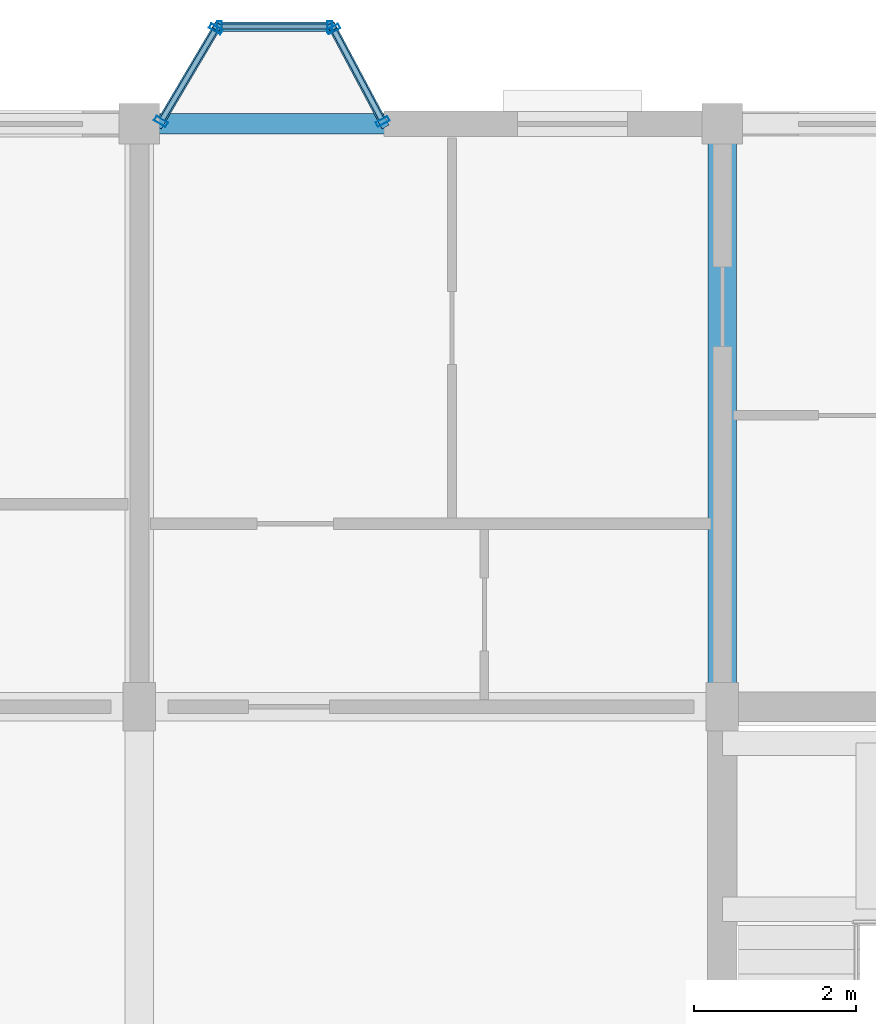
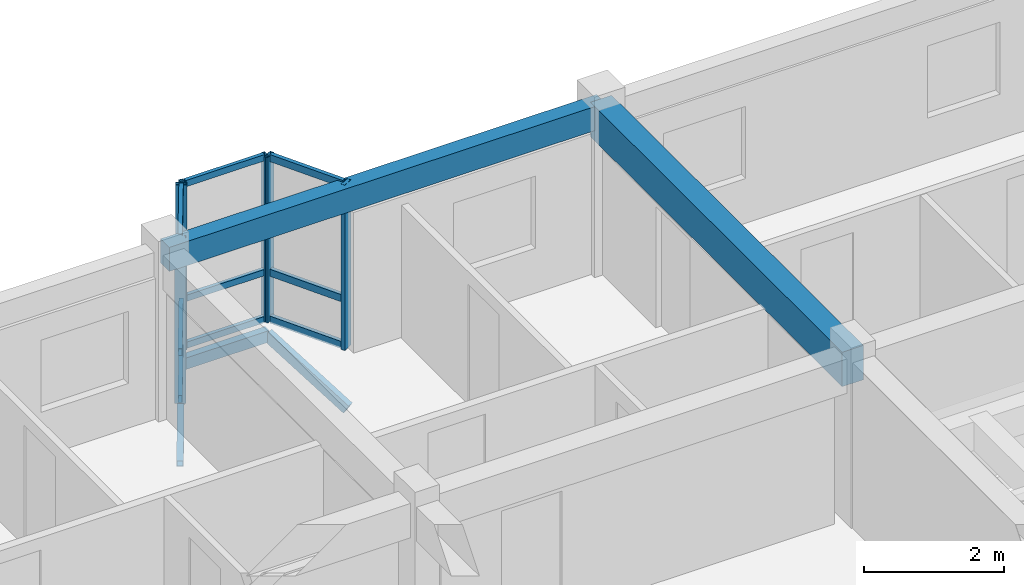
# One storey, part 38 of 70: 18 members, 2 beams, 3 elements without a shape of their own.
"""IFC4 building model written with IfcOpenShell, lengths in metres."""

from ifc_helpers import new_model, si_unit, direction, frame, origin, origin_2d, place, context, subcontext, project, spatial, rectangle, hollow_rectangle, extrude, material, layer, layer_set, material_profile, profile_set, type_object, element, aggregate, save


model = new_model("IFC4")

# Units and contexts
model_context = context("Model", 3, precision=1e-05, world=origin(), true_north=direction((0.0, 1.0)))
body_context = subcontext(model_context, "Body", "Model", "MODEL_VIEW")
ifc_project = project(units=[si_unit("LENGTHUNIT", "METRE"), si_unit("AREAUNIT", "SQUARE_METRE"), si_unit("VOLUMEUNIT", "CUBIC_METRE"), si_unit("PLANEANGLEUNIT", "RADIAN"), si_unit("MASSUNIT", "GRAM", prefix="KILO"), si_unit("THERMODYNAMICTEMPERATUREUNIT", "KELVIN"), si_unit("POWERUNIT", "WATT")], contexts=[model_context])

# Site, building, storey
site_placement = place(None, origin())
site = spatial("IfcSite", under=ifc_project, at=site_placement, CompositionType="ELEMENT")
building_placement = place(site_placement, origin())
building = spatial("IfcBuilding", under=site, at=building_placement, Name="Tavuni Mirador Residences", CompositionType="ELEMENT")
storey_placement = place(building_placement, frame((0.0, 0.0, 23.39990234375)))
storey = spatial("IfcBuildingStorey", under=building, at=storey_placement, Name="L07", CompositionType="ELEMENT", Elevation=23.39990234375)

# Beams
ifc_material_1 = material(Name="Precast concrete C40/50", Category="concrete")
ifc_material_profile_1 = material_profile(ifc_material_1, rectangle(XDim=0.35009765625, YDim=0.60009765625, at=origin_2d()), Name="PC 350x600", Category="concrete")
ifc_profile_set_1 = profile_set([ifc_material_profile_1], Name="Precast concrete C40/50")
beam_type_1 = type_object("IfcBeamType", Name="BT-B600", PredefinedType="BEAM", material=ifc_profile_set_1)
beam_1_placement = place(storey_placement, frame((25.199951171875, 165.60009765625, 2.585205078125), z_axis=(0.0, 1.0, 0.0), x_axis=(-1.0, 0.0, 0.0)))
element("IfcBeam", 1, at=beam_1_placement, inside=storey, type_object=beam_type_1, Name="BMY-BLK-C-L07-02-03", PredefinedType="BEAM", context=body_context, shape_type="SweptSolid", body=[
    extrude(rectangle(XDim=0.35009765625, YDim=0.60009765625, at=origin_2d()), origin(), (0.0, 0.0, 1.0), 7.199951171875),
])
ifc_material_profile_2 = material_profile(ifc_material_1, rectangle(XDim=0.25, YDim=0.419921875, at=origin_2d()), Name="PC 250x420", Category="concrete")
ifc_profile_set_2 = profile_set([ifc_material_profile_2], Name="Precast concrete C40/50")
beam_type_2 = type_object("IfcBeamType", Name="BT-SP420", PredefinedType="SPANDREL", material=ifc_profile_set_2)
beam_2_placement = place(storey_placement, frame((18.0, 172.800048828125, 2.675048828125), z_axis=(1.0, 0.0, 0.0), x_axis=(0.0, 1.0, 0.0)))
element("IfcBeam", 2, at=beam_2_placement, inside=storey, type_object=beam_type_2, Name="BMX-BLK-C-L07-01-04", PredefinedType="SPANDREL", context=body_context, shape_type="SweptSolid", body=[
    extrude(rectangle(XDim=0.25, YDim=0.419921875, at=origin_2d()), origin(), (0.0, 0.0, 1.0), 7.199951171875),
])

# Curtain wall, members
ifc_material_2 = material(Name="Anodised aluminium", Category="aluminium")
ifc_layer_1 = layer(ifc_material_2, 0.1650390625, Name="Anodised aluminium", Category="aluminium")
ifc_layer_set_1 = layer_set([ifc_layer_1], Name="Anodised aluminium")
curtain_wall_type_1 = type_object("IfcCurtainWallType", Name="CWT-MIR-A", PredefinedType="NOTDEFINED", material=ifc_layer_set_1)
curtain_wall_1_placement = place(storey_placement, origin())
curtain_wall_1 = element("IfcCurtainWall", 3, at=curtain_wall_1_placement, inside=storey, type_object=curtain_wall_type_1, Name="CW-MIR-C-N1-L07-MF", PredefinedType="NOTDEFINED")
ifc_material_profile_3 = material_profile(ifc_material_2, hollow_rectangle(XDim=0.06005859375, YDim=0.139892578125, WallThickness=0.00390625, at=origin_2d()), Name="ALU 60x140x4.0", Category="aluminium")
ifc_profile_set_3 = profile_set([ifc_material_profile_3], Name="Anodised aluminium")
member_type_1 = type_object("IfcMemberType", Name="CWM-140", PredefinedType="MULLION", material=ifc_profile_set_3)
member_1_placement = place(storey_placement, frame((20.35009765625, 174.0, 0.0), z_axis=(0.0, 0.0, 1.0), x_axis=(-1.0, 0.0, 0.0)))
member_1 = element("IfcMember", 4, at=member_1_placement, type_object=member_type_1, Name="CW-01 mullion 1", PredefinedType="MULLION", context=body_context, shape_type="SweptSolid", body=[
    extrude(hollow_rectangle(XDim=0.06005859375, YDim=0.139892578125, WallThickness=0.00390625, at=origin_2d()), origin(), (0.0, 0.0, 1.0), 2.885009765625),
])
member_2_placement = place(storey_placement, frame((18.989990234375, 174.0, 0.0), z_axis=(0.0, 0.0, 1.0), x_axis=(-1.0, 0.0, 0.0)))
member_2 = element("IfcMember", 5, at=member_2_placement, type_object=member_type_1, Name="CW-01 mullion 2", PredefinedType="MULLION", context=body_context, shape_type="SweptSolid", body=[
    extrude(hollow_rectangle(XDim=0.06005859375, YDim=0.139892578125, WallThickness=0.00390625, at=origin_2d()), origin(), (0.0, 0.0, 1.0), 2.885009765625),
])

ifc_layer_2 = layer(ifc_material_2, 0.159912109375, Name="Anodised aluminium", Category="aluminium")
ifc_layer_set_2 = layer_set([ifc_layer_2], Name="Anodised aluminium")
curtain_wall_type_2 = type_object("IfcCurtainWallType", Name="CWT-MIR-D", PredefinedType="NOTDEFINED", material=ifc_layer_set_2)
curtain_wall_2_placement = place(storey_placement, origin())
curtain_wall_2 = element("IfcCurtainWall", 6, at=curtain_wall_2_placement, inside=storey, type_object=curtain_wall_type_2, Name="CW-MIR-C-N1-L07-M1", PredefinedType="NOTDEFINED")
ifc_material_profile_4 = material_profile(ifc_material_2, hollow_rectangle(XDim=0.06494140625, YDim=0.1650390625, WallThickness=0.00439453125, at=origin_2d()), Name="ALU 65x165x4.5", Category="aluminium")
ifc_profile_set_4 = profile_set([ifc_material_profile_4], Name="Anodised aluminium")
member_type_2 = type_object("IfcMemberType", Name="CWM-165", PredefinedType="MULLION", material=ifc_profile_set_4)
member_3_placement = place(storey_placement, frame((21.004638671875, 172.82861328125, 0.0), z_axis=(0.0, 0.0, 1.0), x_axis=(-0.470588235296, 0.882352941175, 0.0)))
member_3 = element("IfcMember", 7, at=member_3_placement, type_object=member_type_2, Name="CW-04 mullion 1", PredefinedType="MULLION", context=body_context, shape_type="SweptSolid", body=[
    extrude(hollow_rectangle(XDim=0.06494140625, YDim=0.1650390625, WallThickness=0.00439453125, at=origin_2d()), origin(), (0.0, 0.0, 1.0), 2.885009765625),
])
member_4_placement = place(storey_placement, frame((20.395263671875, 173.971435546875, 0.0), z_axis=(0.0, 0.0, 1.0), x_axis=(-0.470588235296, 0.882352941175, 0.0)))
member_4 = element("IfcMember", 8, at=member_4_placement, type_object=member_type_2, Name="CW-04 mullion 2", PredefinedType="MULLION", context=body_context, shape_type="SweptSolid", body=[
    extrude(hollow_rectangle(XDim=0.06494140625, YDim=0.1650390625, WallThickness=0.00439453125, at=origin_2d()), origin(), (0.0, 0.0, 1.0), 2.885009765625),
])

ifc_layer_3 = layer(ifc_material_2, 0.14990234375, Name="Anodised aluminium", Category="aluminium")
ifc_layer_set_3 = layer_set([ifc_layer_3], Name="Anodised aluminium")
curtain_wall_type_3 = type_object("IfcCurtainWallType", Name="CWT-MIR-B", PredefinedType="NOTDEFINED", material=ifc_layer_set_3)
curtain_wall_3_placement = place(storey_placement, origin())
curtain_wall_3 = element("IfcCurtainWall", 9, at=curtain_wall_3_placement, inside=storey, type_object=curtain_wall_type_3, Name="CW-MIR-C-N1-L07-M2", PredefinedType="NOTDEFINED")
member_5_placement = place(storey_placement, frame((18.943359375, 173.971923828125, 0.0), z_axis=(0.0, 0.0, 1.0), x_axis=(-0.509212491254, -0.860640830284, 0.0)))
member_5 = element("IfcMember", 10, at=member_5_placement, type_object=member_type_2, Name="CW-02 mullion 1", PredefinedType="MULLION", context=body_context, shape_type="SweptSolid", body=[
    extrude(hollow_rectangle(XDim=0.06494140625, YDim=0.1650390625, WallThickness=0.00439453125, at=origin_2d()), origin(), (0.0, 0.0, 1.0), 2.885009765625),
])
member_6_placement = place(storey_placement, frame((18.2666015625, 172.827880859375, 0.0), z_axis=(0.0, 0.0, 1.0), x_axis=(-0.509212491254, -0.860640830284, 0.0)))
member_6 = element("IfcMember", 11, at=member_6_placement, type_object=member_type_2, Name="CW-02 mullion 2", PredefinedType="MULLION", context=body_context, shape_type="SweptSolid", body=[
    extrude(hollow_rectangle(XDim=0.06494140625, YDim=0.1650390625, WallThickness=0.00439453125, at=origin_2d()), origin(), (0.0, 0.0, 1.0), 2.885009765625),
])

# Member
ifc_material_profile_5 = material_profile(ifc_material_2, hollow_rectangle(XDim=0.06005859375, YDim=0.110107421875, WallThickness=0.00390625, at=origin_2d()), Name="ALU 60x110x4.0", Category="aluminium")
ifc_profile_set_5 = profile_set([ifc_material_profile_5], Name="Anodised aluminium")
member_type_3 = type_object("IfcMemberType", Name="CWT-110", PredefinedType="USERDEFINED", material=ifc_profile_set_5)
member_7_placement = place(storey_placement, frame((20.320068359375, 174.0, 0.030029296875), z_axis=(-1.0, 0.0, 0.0), x_axis=(0.0, -1.0, 0.0)))
member_7 = element("IfcMember", 12, at=member_7_placement, type_object=member_type_3, Name="CW-01 transom 1.1", ObjectType="TRANSOM", PredefinedType="USERDEFINED", context=body_context, shape_type="SweptSolid", body=[
    extrude(hollow_rectangle(XDim=0.06005859375, YDim=0.110107421875, WallThickness=0.00390625, at=origin_2d()), origin(), (0.0, 0.0, 1.0), 1.300048828125),
])

member_8_placement = place(storey_placement, frame((20.320068359375, 174.0, 0.85009765625), z_axis=(-1.0, 0.0, 0.0), x_axis=(0.0, -1.0, 0.0)))
member_8 = element("IfcMember", 13, at=member_8_placement, type_object=member_type_3, Name="CW-01 transom 1.2", ObjectType="TRANSOM", PredefinedType="USERDEFINED", context=body_context, shape_type="SweptSolid", body=[
    extrude(hollow_rectangle(XDim=0.06005859375, YDim=0.110107421875, WallThickness=0.00390625, at=origin_2d()), origin(), (0.0, 0.0, 1.0), 1.300048828125),
])

member_9_placement = place(storey_placement, frame((20.320068359375, 174.0, 2.85498046875), z_axis=(-1.0, 0.0, 0.0), x_axis=(0.0, -1.0, 0.0)))
member_9 = element("IfcMember", 14, at=member_9_placement, type_object=member_type_3, Name="CW-01 transom 1.3", ObjectType="TRANSOM", PredefinedType="USERDEFINED", context=body_context, shape_type="SweptSolid", body=[
    extrude(hollow_rectangle(XDim=0.06005859375, YDim=0.110107421875, WallThickness=0.00390625, at=origin_2d()), origin(), (0.0, 0.0, 1.0), 1.300048828125),
])

aggregate(curtain_wall_1, [member_1, member_2, member_7, member_8, member_9])

ifc_material_profile_6 = material_profile(ifc_material_2, hollow_rectangle(XDim=0.06494140625, YDim=0.125, WallThickness=0.00439453125, at=origin_2d()), Name="ALU 65x125x4.5", Category="aluminium")
ifc_profile_set_6 = profile_set([ifc_material_profile_6], Name="Anodised aluminium")
member_type_4 = type_object("IfcMemberType", Name="CWT-125", PredefinedType="USERDEFINED", material=ifc_profile_set_6)
member_10_placement = place(storey_placement, frame((20.989501953125, 172.857421875, 0.03271484375), z_axis=(-0.470639747922, 0.882325465843, 0.0), x_axis=(-0.882325465843, -0.470639747922, 0.0)))
member_10 = element("IfcMember", 15, at=member_10_placement, type_object=member_type_4, Name="CW-04 transom 1.1", ObjectType="TRANSOM", PredefinedType="USERDEFINED", context=body_context, shape_type="SweptSolid", body=[
    extrude(hollow_rectangle(XDim=0.06494140625, YDim=0.125, WallThickness=0.00439453125, at=origin_2d()), origin(), (0.0, 0.0, 1.0), 1.22998046875),
])

member_11_placement = place(storey_placement, frame((20.989501953125, 172.857421875, 0.85009765625), z_axis=(-0.470639747922, 0.882325465843, 0.0), x_axis=(-0.882325465843, -0.470639747922, 0.0)))
member_11 = element("IfcMember", 16, at=member_11_placement, type_object=member_type_4, Name="CW-04 transom 1.2", ObjectType="TRANSOM", PredefinedType="USERDEFINED", context=body_context, shape_type="SweptSolid", body=[
    extrude(hollow_rectangle(XDim=0.06494140625, YDim=0.125, WallThickness=0.00439453125, at=origin_2d()), origin(), (0.0, 0.0, 1.0), 1.22998046875),
])

member_12_placement = place(storey_placement, frame((20.989501953125, 172.857421875, 2.8525390625), z_axis=(-0.470639747922, 0.882325465843, 0.0), x_axis=(-0.882325465843, -0.470639747922, 0.0)))
member_12 = element("IfcMember", 17, at=member_12_placement, type_object=member_type_4, Name="CW-04 transom 1.3", ObjectType="TRANSOM", PredefinedType="USERDEFINED", context=body_context, shape_type="SweptSolid", body=[
    extrude(hollow_rectangle(XDim=0.06494140625, YDim=0.125, WallThickness=0.00439453125, at=origin_2d()), origin(), (0.0, 0.0, 1.0), 1.22998046875),
])

aggregate(curtain_wall_2, [member_3, member_4, member_10, member_11, member_12])

member_13_placement = place(storey_placement, frame((18.927001953125, 173.944091796875, 0.03271484375), z_axis=(-0.509204147839, -0.860645766749, 0.0), x_axis=(0.860645766749, -0.509204147839, 0.0)))
member_13 = element("IfcMember", 18, at=member_13_placement, type_object=member_type_4, Name="CW-02 transom 1.1", ObjectType="TRANSOM", PredefinedType="USERDEFINED", context=body_context, shape_type="SweptSolid", body=[
    extrude(hollow_rectangle(XDim=0.06494140625, YDim=0.125, WallThickness=0.00439453125, at=origin_2d()), origin(), (0.0, 0.0, 1.0), 1.264404296875),
])

member_14_placement = place(storey_placement, frame((18.927001953125, 173.944091796875, 0.85009765625), z_axis=(-0.509204147839, -0.860645766749, 0.0), x_axis=(0.860645766749, -0.509204147839, 0.0)))
member_14 = element("IfcMember", 19, at=member_14_placement, type_object=member_type_4, Name="CW-02 transom 1.2", ObjectType="TRANSOM", PredefinedType="USERDEFINED", context=body_context, shape_type="SweptSolid", body=[
    extrude(hollow_rectangle(XDim=0.06494140625, YDim=0.125, WallThickness=0.00439453125, at=origin_2d()), origin(), (0.0, 0.0, 1.0), 1.264404296875),
])

member_15_placement = place(storey_placement, frame((18.927001953125, 173.944091796875, 2.8525390625), z_axis=(-0.509204147839, -0.860645766749, 0.0), x_axis=(0.860645766749, -0.509204147839, 0.0)))
member_15 = element("IfcMember", 20, at=member_15_placement, type_object=member_type_4, Name="CW-02 transom 1.3", ObjectType="TRANSOM", PredefinedType="USERDEFINED", context=body_context, shape_type="SweptSolid", body=[
    extrude(hollow_rectangle(XDim=0.06494140625, YDim=0.125, WallThickness=0.00439453125, at=origin_2d()), origin(), (0.0, 0.0, 1.0), 1.264404296875),
])

aggregate(curtain_wall_3, [member_5, member_6, member_13, member_14, member_15])

# Members
ifc_material_3 = material(Name="Structural steel S355", Category="steel")
ifc_material_profile_7 = material_profile(ifc_material_3, hollow_rectangle(XDim=0.10009765625, YDim=0.179931640625, WallThickness=0.008056640625, at=origin_2d()), Name="RHS 180x100x8.0", Category="steel")
ifc_profile_set_7 = profile_set([ifc_material_profile_7], Name="Structural steel S355")
member_type_5 = type_object("IfcMemberType", Name="MT-BR-RHS180", PredefinedType="BRACE", material=ifc_profile_set_7)
member_16_placement = place(storey_placement, frame((18.25, 172.800048828125, -1.0498046875), z_axis=(0.443724340816, 0.74996737796, 0.490568691789), x_axis=(-0.860644027762, 0.509207087026, 0.0)))
element("IfcMember", 21, at=member_16_placement, inside=storey, type_object=member_type_5, Name="MBRK-MIR-C-N1-L07-1", PredefinedType="BRACE", context=body_context, shape_type="SweptSolid", body=[
    extrude(hollow_rectangle(XDim=0.10009765625, YDim=0.179931640625, WallThickness=0.008056640625, at=origin_2d()), origin(), (0.0, 0.0, 1.0), 1.60009765625),
])
member_17_placement = place(storey_placement, frame((21.02001953125, 172.800048828125, -1.0498046875), z_axis=(-0.407660536563, 0.76416915988, 0.499858361956), x_axis=(-0.882303244255, -0.470681405175, 0.0)))
element("IfcMember", 22, at=member_17_placement, inside=storey, type_object=member_type_5, Name="MBRK-MIR-C-N1-L07-2", PredefinedType="BRACE", context=body_context, shape_type="SweptSolid", body=[
    extrude(hollow_rectangle(XDim=0.10009765625, YDim=0.179931640625, WallThickness=0.008056640625, at=origin_2d()), origin(), (0.0, 0.0, 1.0), 1.5703125),
])
ifc_material_profile_8 = material_profile(ifc_material_3, hollow_rectangle(XDim=0.1201171875, YDim=0.199951171875, WallThickness=0.010009765625, at=origin_2d()), Name="RHS 200x120x10.0", Category="steel")
ifc_profile_set_8 = profile_set([ifc_material_profile_8], Name="Structural steel S355")
member_type_6 = type_object("IfcMemberType", Name="MT-ST-RHS200", PredefinedType="STRUT", material=ifc_profile_set_8)
member_18_placement = place(storey_placement, frame((18.9599609375, 174.0, -0.264892578125), z_axis=(1.0, 0.0, 0.0), x_axis=(0.0, 1.0, 0.0)))
element("IfcMember", 23, at=member_18_placement, inside=storey, type_object=member_type_6, Name="MRIM-MIR-C-N1-L07", PredefinedType="STRUT", context=body_context, shape_type="SweptSolid", body=[
    extrude(hollow_rectangle(XDim=0.1201171875, YDim=0.199951171875, WallThickness=0.010009765625, at=origin_2d()), origin(), (0.0, 0.0, 1.0), 1.419921875),
])

save(model, "model.ifc")
